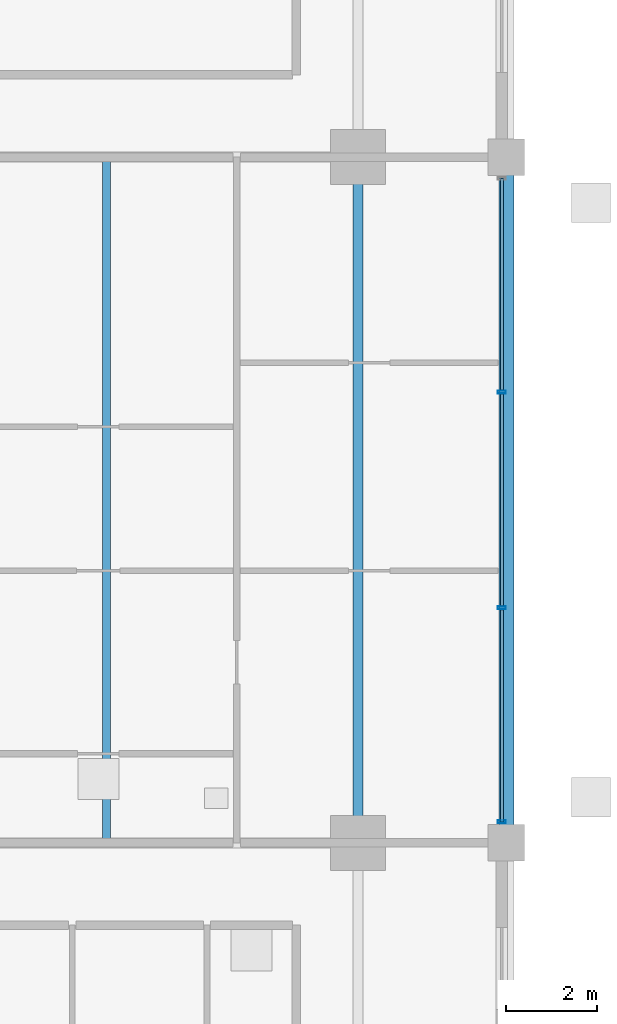
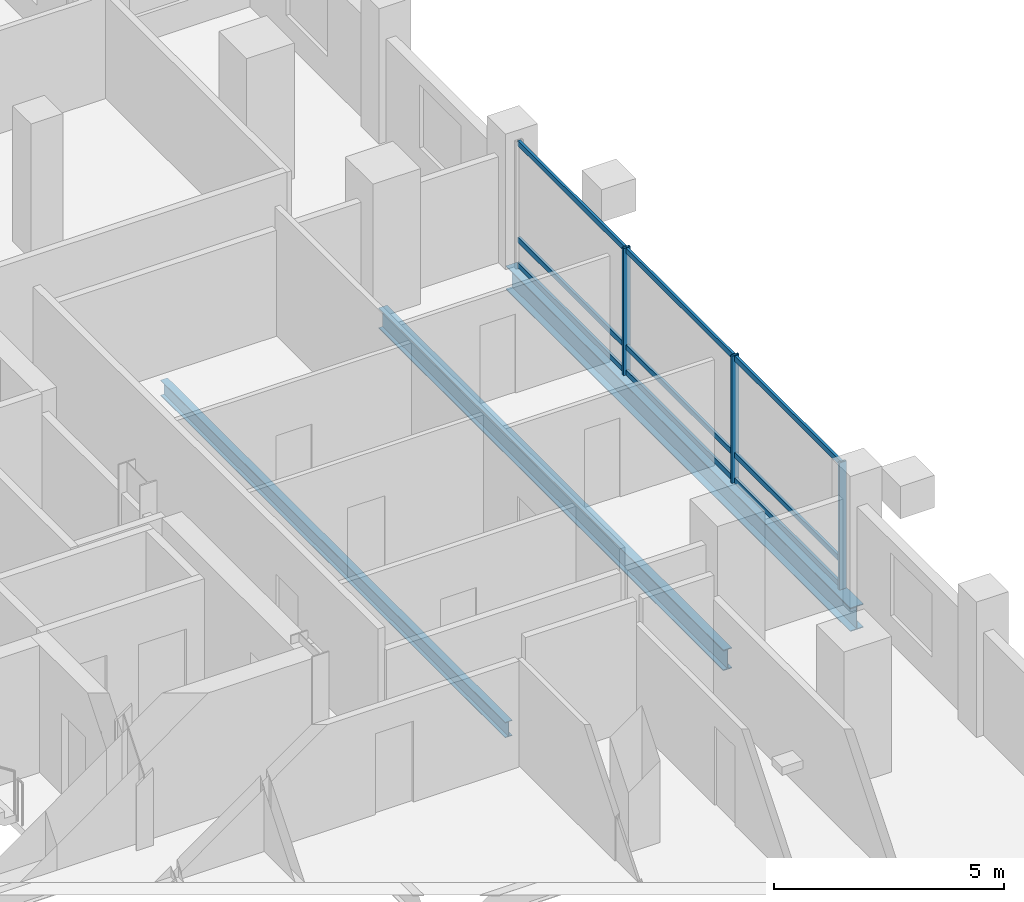
# One storey, part 7 of 20: 12 members, 3 beams, 1 element without a shape of its own.
"""IFC4 building model written with IfcOpenShell, lengths in metres."""

from ifc_helpers import new_model, si_unit, direction, frame, origin, origin_2d, place, context, subcontext, project, spatial, hollow_rectangle, i_section, extrude, material, layer, layer_set, material_profile, profile_set, type_object, element, aggregate, save


model = new_model("IFC4")

# Units and contexts
model_context = context("Model", 3, precision=1e-05, world=origin(), true_north=direction((0.0, 1.0)))
body_context = subcontext(model_context, "Body", "Model", "MODEL_VIEW")
ifc_project = project(units=[si_unit("LENGTHUNIT", "METRE"), si_unit("AREAUNIT", "SQUARE_METRE"), si_unit("VOLUMEUNIT", "CUBIC_METRE"), si_unit("PLANEANGLEUNIT", "RADIAN"), si_unit("MASSUNIT", "GRAM", prefix="KILO")], contexts=[model_context])

# Site, building, storey
site_placement = place(None, origin())
site = spatial("IfcSite", under=ifc_project, at=site_placement, CompositionType="ELEMENT")
building_placement = place(site_placement, origin())
building = spatial("IfcBuilding", under=site, at=building_placement, Name="Barlavira Tower and Art Museum", CompositionType="ELEMENT")
storey_placement = place(building_placement, frame((0.0, 0.0, 102.60009765625)))
storey = spatial("IfcBuildingStorey", under=building, at=storey_placement, Name="L25", CompositionType="ELEMENT", Elevation=102.60009765625)

# Curtain wall, members
ifc_material_1 = material(Name="Low-iron coastal laminated glass", Category="glass")
ifc_layer = layer(ifc_material_1, 0.18994140625, Name="Low-iron coastal laminated glass")
ifc_layer_set = layer_set([ifc_layer], Name="Low-iron coastal laminated glass")
curtain_wall_type = type_object("IfcCurtainWallType", Name="Pale-Metal Unitised Curtain Wall Zone 2", PredefinedType="NOTDEFINED", material=ifc_layer_set)
curtain_wall_placement = place(storey_placement, origin())
curtain_wall = element("IfcCurtainWall", 1, at=curtain_wall_placement, inside=storey, type_object=curtain_wall_type, Name="L25 Curtain Wall CW2-L25-E-B3", PredefinedType="NOTDEFINED")
ifc_material_2 = material(Name="Pale anodised aluminium", Category="aluminium")
ifc_material_profile_1 = material_profile(ifc_material_2, hollow_rectangle(XDim=0.06494140625, YDim=0.179931640625, WallThickness=0.00390625, at=origin_2d()), Name="ALU-MULL 65x180x4")
ifc_profile_set_1 = profile_set([ifc_material_profile_1], Name="Pale anodised aluminium")
member_type_1 = type_object("IfcMemberType", Name="Curtain Wall Pale-Metal Mullion 65x180", PredefinedType="MULLION", material=ifc_profile_set_1)
member_1_placement = place(storey_placement, frame((20.14990234375, -7.034912109375, 0.0), z_axis=(0.0, 0.0, 1.0), x_axis=(0.0, 1.0, 0.0)))
member_1 = element("IfcMember", 2, at=member_1_placement, type_object=member_type_1, Name="CW2-L25-E-B3 Mullion 0", PredefinedType="MULLION", context=body_context, shape_type="SweptSolid", body=[
    extrude(hollow_rectangle(XDim=0.06494140625, YDim=0.179931640625, WallThickness=0.00390625, at=origin_2d()), origin(), (0.0, 0.0, 1.0), 3.3798828125),
])
member_2_placement = place(storey_placement, frame((20.14990234375, -2.360107421875, 0.0), z_axis=(0.0, 0.0, 1.0), x_axis=(0.0, 1.0, 0.0)))
member_2 = element("IfcMember", 3, at=member_2_placement, type_object=member_type_1, Name="CW2-L25-E-B3 Mullion 1", PredefinedType="MULLION", context=body_context, shape_type="SweptSolid", body=[
    extrude(hollow_rectangle(XDim=0.06494140625, YDim=0.179931640625, WallThickness=0.00390625, at=origin_2d()), origin(), (0.0, 0.0, 1.0), 3.3798828125),
])
member_3_placement = place(storey_placement, frame((20.14990234375, 2.360107421875, 0.0), z_axis=(0.0, 0.0, 1.0), x_axis=(0.0, 1.0, 0.0)))
member_3 = element("IfcMember", 4, at=member_3_placement, type_object=member_type_1, Name="CW2-L25-E-B3 Mullion 2", PredefinedType="MULLION", context=body_context, shape_type="SweptSolid", body=[
    extrude(hollow_rectangle(XDim=0.06494140625, YDim=0.179931640625, WallThickness=0.00390625, at=origin_2d()), origin(), (0.0, 0.0, 1.0), 3.3798828125),
])
ifc_material_profile_2 = material_profile(ifc_material_2, hollow_rectangle(XDim=0.06494140625, YDim=0.139892578125, WallThickness=0.00390625, at=origin_2d()), Name="ALU-TRAN 65x140x4")
ifc_profile_set_2 = profile_set([ifc_material_profile_2], Name="Pale anodised aluminium")
member_type_2 = type_object("IfcMemberType", Name="Curtain Wall Pale-Metal Transom 65x140", PredefinedType="USERDEFINED", material=ifc_profile_set_2)
member_4_placement = place(storey_placement, frame((20.14990234375, -7.034912109375, 0.06982421875), z_axis=(0.0, 1.0, 0.0), x_axis=(-1.0, 0.0, 0.0)))
member_4 = element("IfcMember", 5, at=member_4_placement, type_object=member_type_2, Name="CW2-L25-E-B3 Transom 0.1", ObjectType="TRANSOM", PredefinedType="USERDEFINED", context=body_context, shape_type="SweptSolid", body=[
    extrude(hollow_rectangle(XDim=0.06494140625, YDim=0.139892578125, WallThickness=0.00390625, at=origin_2d()), origin(), (0.0, 0.0, 1.0), 4.6298828125),
])
member_5_placement = place(storey_placement, frame((20.14990234375, -7.034912109375, 0.743896484375), z_axis=(0.0, 1.0, 0.0), x_axis=(-1.0, 0.0, 0.0)))
member_5 = element("IfcMember", 6, at=member_5_placement, type_object=member_type_2, Name="CW2-L25-E-B3 Transom 0.2", ObjectType="TRANSOM", PredefinedType="USERDEFINED", context=body_context, shape_type="SweptSolid", body=[
    extrude(hollow_rectangle(XDim=0.06494140625, YDim=0.139892578125, WallThickness=0.00390625, at=origin_2d()), origin(), (0.0, 0.0, 1.0), 4.6298828125),
])
member_6_placement = place(storey_placement, frame((20.14990234375, -7.034912109375, 3.309814453125), z_axis=(0.0, 1.0, 0.0), x_axis=(-1.0, 0.0, 0.0)))
member_6 = element("IfcMember", 7, at=member_6_placement, type_object=member_type_2, Name="CW2-L25-E-B3 Transom 0.3", ObjectType="TRANSOM", PredefinedType="USERDEFINED", context=body_context, shape_type="SweptSolid", body=[
    extrude(hollow_rectangle(XDim=0.06494140625, YDim=0.139892578125, WallThickness=0.00390625, at=origin_2d()), origin(), (0.0, 0.0, 1.0), 4.6298828125),
])
member_7_placement = place(storey_placement, frame((20.14990234375, -2.31494140625, 0.06982421875), z_axis=(0.0, 1.0, 0.0), x_axis=(-1.0, 0.0, 0.0)))
member_7 = element("IfcMember", 8, at=member_7_placement, type_object=member_type_2, Name="CW2-L25-E-B3 Transom 1.1", ObjectType="TRANSOM", PredefinedType="USERDEFINED", context=body_context, shape_type="SweptSolid", body=[
    extrude(hollow_rectangle(XDim=0.06494140625, YDim=0.139892578125, WallThickness=0.00390625, at=origin_2d()), origin(), (0.0, 0.0, 1.0), 4.6298828125),
])
member_8_placement = place(storey_placement, frame((20.14990234375, -2.31494140625, 0.743896484375), z_axis=(0.0, 1.0, 0.0), x_axis=(-1.0, 0.0, 0.0)))
member_8 = element("IfcMember", 9, at=member_8_placement, type_object=member_type_2, Name="CW2-L25-E-B3 Transom 1.2", ObjectType="TRANSOM", PredefinedType="USERDEFINED", context=body_context, shape_type="SweptSolid", body=[
    extrude(hollow_rectangle(XDim=0.06494140625, YDim=0.139892578125, WallThickness=0.00390625, at=origin_2d()), origin(), (0.0, 0.0, 1.0), 4.6298828125),
])
member_9_placement = place(storey_placement, frame((20.14990234375, -2.31494140625, 3.309814453125), z_axis=(0.0, 1.0, 0.0), x_axis=(-1.0, 0.0, 0.0)))
member_9 = element("IfcMember", 10, at=member_9_placement, type_object=member_type_2, Name="CW2-L25-E-B3 Transom 1.3", ObjectType="TRANSOM", PredefinedType="USERDEFINED", context=body_context, shape_type="SweptSolid", body=[
    extrude(hollow_rectangle(XDim=0.06494140625, YDim=0.139892578125, WallThickness=0.00390625, at=origin_2d()), origin(), (0.0, 0.0, 1.0), 4.6298828125),
])
member_10_placement = place(storey_placement, frame((20.14990234375, 2.405029296875, 0.06982421875), z_axis=(0.0, 1.0, 0.0), x_axis=(-1.0, 0.0, 0.0)))
member_10 = element("IfcMember", 11, at=member_10_placement, type_object=member_type_2, Name="CW2-L25-E-B3 Transom 2.1", ObjectType="TRANSOM", PredefinedType="USERDEFINED", context=body_context, shape_type="SweptSolid", body=[
    extrude(hollow_rectangle(XDim=0.06494140625, YDim=0.139892578125, WallThickness=0.00390625, at=origin_2d()), origin(), (0.0, 0.0, 1.0), 4.6298828125),
])
member_11_placement = place(storey_placement, frame((20.14990234375, 2.405029296875, 0.743896484375), z_axis=(0.0, 1.0, 0.0), x_axis=(-1.0, 0.0, 0.0)))
member_11 = element("IfcMember", 12, at=member_11_placement, type_object=member_type_2, Name="CW2-L25-E-B3 Transom 2.2", ObjectType="TRANSOM", PredefinedType="USERDEFINED", context=body_context, shape_type="SweptSolid", body=[
    extrude(hollow_rectangle(XDim=0.06494140625, YDim=0.139892578125, WallThickness=0.00390625, at=origin_2d()), origin(), (0.0, 0.0, 1.0), 4.6298828125),
])
member_12_placement = place(storey_placement, frame((20.14990234375, 2.405029296875, 3.309814453125), z_axis=(0.0, 1.0, 0.0), x_axis=(-1.0, 0.0, 0.0)))
member_12 = element("IfcMember", 13, at=member_12_placement, type_object=member_type_2, Name="CW2-L25-E-B3 Transom 2.3", ObjectType="TRANSOM", PredefinedType="USERDEFINED", context=body_context, shape_type="SweptSolid", body=[
    extrude(hollow_rectangle(XDim=0.06494140625, YDim=0.139892578125, WallThickness=0.00390625, at=origin_2d()), origin(), (0.0, 0.0, 1.0), 4.6298828125),
])
aggregate(curtain_wall, [member_1, member_2, member_3, member_4, member_5, member_6, member_7, member_8, member_9, member_10, member_11, member_12])

# Beams
ifc_material_3 = material(Name="Steel S355", Category="steel")
ifc_material_profile_3 = material_profile(ifc_material_3, i_section(OverallWidth=0.327880859375, OverallDepth=0.62890625, WebThickness=0.013916015625, FlangeThickness=0.021484375, at=origin_2d()), Name="W610x174.0")
ifc_profile_set_3 = profile_set([ifc_material_profile_3], Name="Steel S355")
beam_type_1 = type_object("IfcBeamType", Name="Perimeter Spandrel Edge Beam W610x174 Steel S355", PredefinedType="SPANDREL", material=ifc_profile_set_3)
beam_1_placement = place(storey_placement, frame((20.25, -7.5, -0.53466796875), z_axis=(0.0, 1.0, 0.0), x_axis=(-1.0, 0.0, 0.0)))
element("IfcBeam", 14, at=beam_1_placement, inside=storey, type_object=beam_type_1, Name="L25 Spandrel 6", PredefinedType="SPANDREL", context=body_context, shape_type="SweptSolid", body=[
    extrude(i_section(OverallWidth=0.327880859375, OverallDepth=0.62890625, WebThickness=0.013916015625, FlangeThickness=0.021484375, at=origin_2d()), origin(), (0.0, 0.0, 1.0), 15.0),
])
ifc_material_profile_4 = material_profile(ifc_material_3, i_section(OverallWidth=0.214111328125, OverallDepth=0.549072265625, WebThickness=0.0146484375, FlangeThickness=0.023681640625, at=origin_2d()), Name="W530x138.0")
ifc_profile_set_4 = profile_set([ifc_material_profile_4], Name="Steel S355")
beam_type_2 = type_object("IfcBeamType", Name="Zone 1 Primary Floor Girder W530x138 Steel S355", PredefinedType="BEAM", material=ifc_profile_set_4)
beam_2_placement = place(storey_placement, frame((17.0, -7.5, -0.49462890625), z_axis=(0.0, 1.0, 0.0), x_axis=(-1.0, 0.0, 0.0)))
element("IfcBeam", 15, at=beam_2_placement, inside=storey, type_object=beam_type_2, Name="L25 Girder M-E2", PredefinedType="BEAM", context=body_context, shape_type="SweptSolid", body=[
    extrude(i_section(OverallWidth=0.214111328125, OverallDepth=0.549072265625, WebThickness=0.0146484375, FlangeThickness=0.023681640625, at=origin_2d()), origin(), (0.0, 0.0, 1.0), 15.0),
])
ifc_material_profile_5 = material_profile(ifc_material_3, i_section(OverallWidth=0.179931640625, OverallDepth=0.4130859375, WebThickness=0.009765625, FlangeThickness=0.01611328125, at=origin_2d()), Name="W410x75.0")
ifc_profile_set_5 = profile_set([ifc_material_profile_5], Name="Steel S355")
beam_type_3 = type_object("IfcBeamType", Name="Zone 2 Composite Floor Joist W410x75 Steel S355", PredefinedType="JOIST", material=ifc_profile_set_5)
beam_3_placement = place(storey_placement, frame((11.5, -7.5, -0.426513671875), z_axis=(0.0, 1.0, 0.0), x_axis=(-1.0, 0.0, 0.0)))
element("IfcBeam", 16, at=beam_3_placement, inside=storey, type_object=beam_type_3, Name="L25 Joist W2", PredefinedType="JOIST", context=body_context, shape_type="SweptSolid", body=[
    extrude(i_section(OverallWidth=0.179931640625, OverallDepth=0.4130859375, WebThickness=0.009765625, FlangeThickness=0.01611328125, at=origin_2d()), origin(), (0.0, 0.0, 1.0), 15.0),
])

save(model, "model.ifc")
